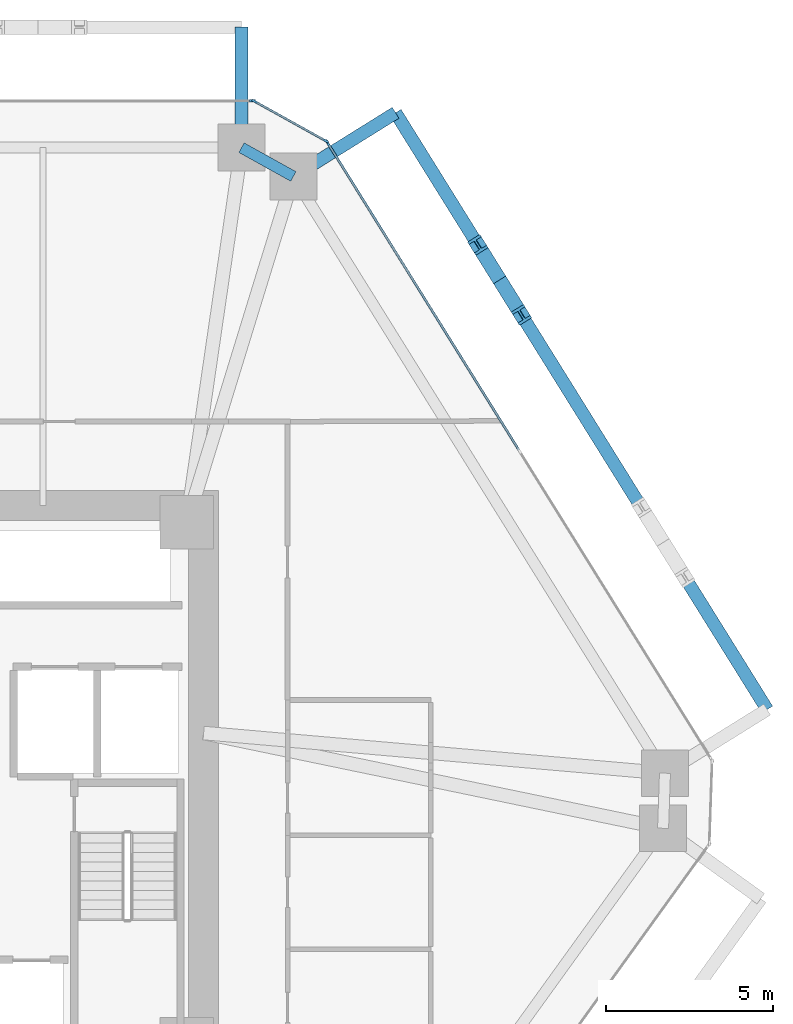
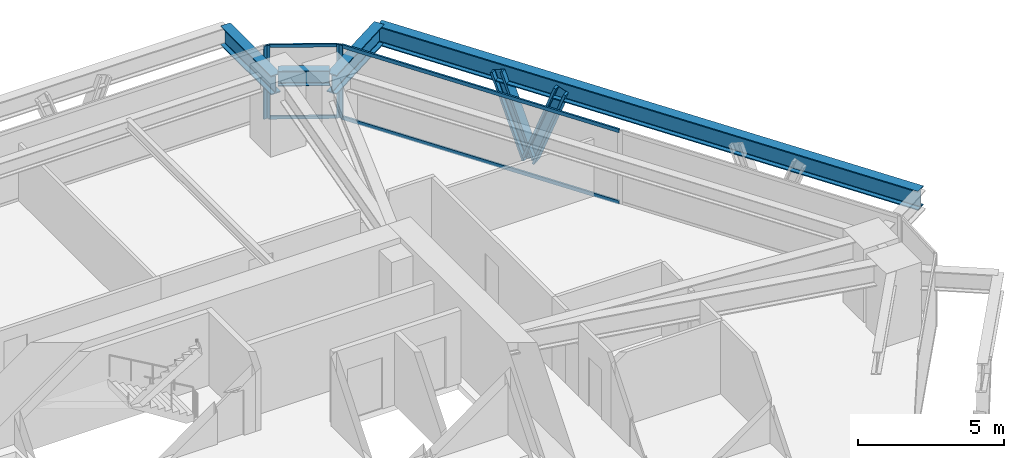
# One storey, part 9 of 14: 10 members, 4 beams, 3 elements without a shape of their own.
"""IFC4 building model written with IfcOpenShell, lengths in metres."""

from ifc_helpers import new_model, si_unit, direction, frame, origin, origin_2d, place, context, subcontext, project, spatial, rectangle, i_section, extrude, source, transform, mapped, material, layer, layer_set, material_profile, profile_set, type_object, type_shapes, element, aggregate, save


model = new_model("IFC4")

# Units and contexts
model_context = context("Model", 3, precision=1e-05, world=origin(), true_north=direction((0.0, 1.0)))
body_context = subcontext(model_context, "Body", "Model", "MODEL_VIEW")
ifc_project = project(units=[si_unit("LENGTHUNIT", "METRE"), si_unit("AREAUNIT", "SQUARE_METRE"), si_unit("VOLUMEUNIT", "CUBIC_METRE"), si_unit("PLANEANGLEUNIT", "RADIAN"), si_unit("MASSUNIT", "GRAM", prefix="KILO")], contexts=[model_context])

# Site, building, storey
site_placement = place(None, origin())
site = spatial("IfcSite", under=ifc_project, at=site_placement, CompositionType="ELEMENT")
building_placement = place(site_placement, origin())
building = spatial("IfcBuilding", under=site, at=building_placement, Name="Durnholm Broadcast Tower", CompositionType="ELEMENT")
storey_placement = place(building_placement, frame((0.0, 0.0, 48.89990234375)))
storey = spatial("IfcBuildingStorey", under=building, at=storey_placement, Name="L11", CompositionType="ELEMENT", Elevation=48.89990234375)

# Beams
ifc_material_1 = material(Name="Steel ASTM A992 Grade 50", Category="steel")
ifc_material_profile_1 = material_profile(ifc_material_1, i_section(OverallWidth=0.3291015625, OverallDepth=0.635009765625, WebThickness=0.017822265625, FlangeThickness=0.031005859375, FilletRadius=0.02783203125, at=origin_2d()), Name="W24X162")
ifc_profile_set_1 = profile_set([ifc_material_profile_1], Name="Steel ASTM A992 Grade 50")
beam_type_1 = type_object("IfcBeamType", Name="STL-SP-W24X162", PredefinedType="SPANDREL", material=ifc_profile_set_1)
shared_shape_1 = source(origin(), body_context, "Body", "SweptSolid", [
    extrude(i_section(OverallWidth=0.3291015625, OverallDepth=0.635009765625, WebThickness=0.017822265625, FlangeThickness=0.031005859375, FilletRadius=0.02783203125, at=origin_2d()), origin(), (0.0, 0.0, 1.0), 1.774658203125),
])
type_shapes(beam_type_1, [shared_shape_1])
beam_1_placement = place(storey_placement, frame((11.43115234375, 19.0, 2.7275390625), z_axis=(0.874248107979, -0.485479397806, 0.0), x_axis=(0.485479397806, 0.874248107979, 0.0)))
element("IfcBeam", 1, at=beam_1_placement, inside=storey, type_object=beam_type_1, Name="L11 perimeter spandrel girder 06", PredefinedType="SPANDREL", context=body_context, shape_type="MappedRepresentation", body=[
    mapped(shared_shape_1, transform((0.0, 0.0, 0.0), x_axis=(1.0, 0.0, 0.0), y_axis=(0.0, 1.0, 0.0), z_axis=(0.0, 0.0, 1.0), scale=1.0)),
])
ifc_material_profile_2 = material_profile(ifc_material_1, i_section(OverallWidth=0.385009765625, OverallDepth=0.802978515625, WebThickness=0.023681640625, FlangeThickness=0.0419921875, FilletRadius=0.032958984375, at=origin_2d()), Name="W30X261")
ifc_profile_set_2 = profile_set([ifc_material_profile_2], Name="Steel ASTM A992 Grade 50")
beam_type_2 = type_object("IfcBeamType", Name="BM-EXO-TIE", PredefinedType="USERDEFINED", material=ifc_profile_set_2)
shared_shape_2 = source(origin(), body_context, "Body", "SweptSolid", [
    extrude(i_section(OverallWidth=0.385009765625, OverallDepth=0.802978515625, WebThickness=0.023681640625, FlangeThickness=0.0419921875, FilletRadius=0.032958984375, at=origin_2d()), origin(), (0.0, 0.0, 1.0), 3.4560546875),
])
for number, where, z_axis, x_axis, name in (
    (2, (13.10498046875, 18.214599609375, 2.30859375), (0.848854443891, 0.528626648105, 0.0), (-0.528626648105, 0.848854443891, 0.0), "L11 exoskeleton stand-off tie bracket F3.2"),
    (3, (11.43115234375, 19.14404296875, 2.30859375), (0.0, 1.0, 0.0), (-1.0, 0.0, 0.0), "L11 exoskeleton stand-off tie bracket F4.1"),
):
    element("IfcBeam", number, at=place(storey_placement, frame(where, z_axis=z_axis, x_axis=x_axis)), inside=storey, type_object=beam_type_2, Name=name, ObjectType="GIRDER", PredefinedType="USERDEFINED", context=body_context, shape_type="MappedRepresentation", body=[
        mapped(shared_shape_2, transform((0.0, 0.0, 0.0), x_axis=(1.0, 0.0, 0.0), y_axis=(0.0, 1.0, 0.0), z_axis=(0.0, 0.0, 1.0), scale=1.0)),
    ])
shared_shape_3 = source(origin(), body_context, "Body", "SweptSolid", [
    extrude(i_section(OverallWidth=0.385009765625, OverallDepth=0.802978515625, WebThickness=0.023681640625, FlangeThickness=0.0419921875, FilletRadius=0.032958984375, at=origin_2d()), origin(), (0.0, 0.0, 1.0), 21.0146484375),
])
type_shapes(beam_type_2, [shared_shape_2, shared_shape_3])
beam_2_placement = place(storey_placement, frame((27.146728515625, 2.20263671875, 2.30859375), z_axis=(-0.528590518575, 0.848876942597, 0.0), x_axis=(-0.848876942597, -0.528590518575, 0.0)))
element("IfcBeam", 4, at=beam_2_placement, inside=storey, type_object=beam_type_2, Name="L11 exoskeleton collector spandrel F3", PredefinedType="SPANDREL", context=body_context, shape_type="MappedRepresentation", body=[
    mapped(shared_shape_3, transform((0.0, 0.0, 0.0), x_axis=(1.0, 0.0, 0.0), y_axis=(0.0, 1.0, 0.0), z_axis=(0.0, 0.0, 1.0), scale=1.0)),
])

# Members
ifc_material_2 = material(Name="Steel ASTM A913 Grade 65", Category="steel")
ifc_material_profile_3 = material_profile(ifc_material_2, i_section(OverallWidth=0.43212890625, OverallDepth=0.497802734375, WebThickness=0.0556640625, FlangeThickness=0.0888671875, FilletRadius=0.030517578125, at=origin_2d()), Name="W14X500")
ifc_profile_set_3 = profile_set([ifc_material_profile_3], Name="Steel ASTM A913 Grade 65")
member_type_1 = type_object("IfcMemberType", Name="STL-DG-W14X500", PredefinedType="BRACE", material=ifc_profile_set_3)
shared_shape_4 = source(origin(), body_context, "Body", "SweptSolid", [
    extrude(i_section(OverallWidth=0.43212890625, OverallDepth=0.497802734375, WebThickness=0.0556640625, FlangeThickness=0.0888671875, FilletRadius=0.030517578125, at=origin_2d()), origin(), (0.0, 0.0, 1.0), 3.523193359375),
])
type_shapes(member_type_1, [shared_shape_4])
for number, where, z_axis, x_axis, name in (
    (5, (19.14892578125, 15.04638671875, -0.991455078125), (0.185090383068, -0.297281072018, 0.936677913861), (0.848908635391, 0.528539618911, 0.0), "L11 stand-off diagrid brace F3.D2.1"),
    (6, (19.14892578125, 15.04638671875, -0.991455078125), (-0.185090383068, 0.297281072018, 0.936677913861), (-0.848908635391, -0.528539618911, 0.0), "L11 stand-off diagrid brace F3.D2.2"),
):
    element("IfcMember", number, at=place(storey_placement, frame(where, z_axis=z_axis, x_axis=x_axis)), inside=storey, type_object=member_type_1, Name=name, PredefinedType="BRACE", context=body_context, shape_type="MappedRepresentation", body=[
        mapped(shared_shape_4, transform((0.0, 0.0, 0.0), x_axis=(1.0, 0.0, 0.0), y_axis=(0.0, 1.0, 0.0), z_axis=(0.0, 0.0, 1.0), scale=1.0)),
    ])

# Curtain wall, members
ifc_material_3 = material(Name="Aluminium and Solar Control IGU", Category="aluminium")
ifc_layer_1 = layer(ifc_material_3, 0.1650390625)
ifc_layer_set_1 = layer_set([ifc_layer_1], Name="Aluminium and Solar Control IGU")
curtain_wall_type_1 = type_object("IfcCurtainWallType", Name="CW-SYS-5", PredefinedType="NOTDEFINED", material=ifc_layer_set_1)
curtain_wall_1_placement = place(storey_placement, origin())
curtain_wall_1 = element("IfcCurtainWall", 7, at=curtain_wall_1_placement, inside=storey, type_object=curtain_wall_type_1, Name="L11 curtain wall CW-CORNER CW-L11-CRN-05", PredefinedType="NOTDEFINED")
ifc_material_4 = material(Name="Aluminium 6063-T6", Category="aluminium")
ifc_material_profile_4 = material_profile(ifc_material_4, rectangle(XDim=0.06494140625, YDim=0.1650390625, at=origin_2d()), Name="CWM65X165")
ifc_profile_set_4 = profile_set([ifc_material_profile_4], Name="Aluminium 6063-T6")
member_type_2 = type_object("IfcMemberType", Name="CW-SYS-5-MUL", PredefinedType="MULLION", material=ifc_profile_set_4)
shared_shape_5 = source(origin(), body_context, "Body", "SweptSolid", [
    extrude(rectangle(XDim=0.06494140625, YDim=0.1650390625, at=origin_2d()), origin(), (0.0, 0.0, 1.0), 3.06005859375),
])
type_shapes(member_type_2, [shared_shape_5])
member_1_placement = place(storey_placement, frame((11.822265625, 20.38427734375, 0.0), z_axis=(0.0, 0.0, 1.0), x_axis=(0.485483299359, 0.874245941394, 0.0)))
member_1 = element("IfcMember", 8, at=member_1_placement, type_object=member_type_2, Name="CW-CORNER mullion 1", PredefinedType="MULLION", context=body_context, shape_type="MappedRepresentation", body=[
    mapped(shared_shape_5, transform((0.0, 0.0, 0.0), x_axis=(1.0, 0.0, 0.0), y_axis=(0.0, 1.0, 0.0), z_axis=(0.0, 0.0, 1.0), scale=1.0)),
])
member_2_placement = place(storey_placement, frame((13.950927734375, 19.2021484375, 0.0), z_axis=(0.0, 0.0, 1.0), x_axis=(0.485483299359, 0.874245941394, 0.0)))
member_2 = element("IfcMember", 9, at=member_2_placement, type_object=member_type_2, Name="CW-CORNER mullion 2", PredefinedType="MULLION", context=body_context, shape_type="MappedRepresentation", body=[
    mapped(shared_shape_5, transform((0.0, 0.0, 0.0), x_axis=(1.0, 0.0, 0.0), y_axis=(0.0, 1.0, 0.0), z_axis=(0.0, 0.0, 1.0), scale=1.0)),
])
ifc_material_profile_5 = material_profile(ifc_material_4, rectangle(XDim=0.06494140625, YDim=0.1298828125, at=origin_2d()), Name="CWT65X130")
ifc_profile_set_5 = profile_set([ifc_material_profile_5], Name="Aluminium 6063-T6")
member_type_3 = type_object("IfcMemberType", Name="CW-SYS-5-TRN", PredefinedType="USERDEFINED", material=ifc_profile_set_5)
shared_shape_6 = source(origin(), body_context, "Body", "SweptSolid", [
    extrude(rectangle(XDim=0.06494140625, YDim=0.1298828125, at=origin_2d()), origin(), (0.0, 0.0, 1.0), 2.3701171875),
])
type_shapes(member_type_3, [shared_shape_6])
member_3_placement = place(storey_placement, frame((11.8505859375, 20.368408203125, 0.03271484375), z_axis=(0.874244723151, -0.485485493132, 0.0), x_axis=(0.485485493132, 0.874244723151, 0.0)))
member_3 = element("IfcMember", 10, at=member_3_placement, type_object=member_type_3, Name="CW-CORNER transom 1.1", ObjectType="TRANSOM", PredefinedType="USERDEFINED", context=body_context, shape_type="MappedRepresentation", body=[
    mapped(shared_shape_6, transform((0.0, 0.0, 0.0), x_axis=(1.0, 0.0, 0.0), y_axis=(0.0, 1.0, 0.0), z_axis=(0.0, 0.0, 1.0), scale=1.0)),
])
member_4_placement = place(storey_placement, frame((11.8505859375, 20.368408203125, 3.027587890625), z_axis=(0.874244723151, -0.485485493132, 0.0), x_axis=(0.485485493132, 0.874244723151, 0.0)))
member_4 = element("IfcMember", 11, at=member_4_placement, type_object=member_type_3, Name="CW-CORNER transom 1.2", ObjectType="TRANSOM", PredefinedType="USERDEFINED", context=body_context, shape_type="MappedRepresentation", body=[
    mapped(shared_shape_6, transform((0.0, 0.0, 0.0), x_axis=(1.0, 0.0, 0.0), y_axis=(0.0, 1.0, 0.0), z_axis=(0.0, 0.0, 1.0), scale=1.0)),
])
aggregate(curtain_wall_1, [member_1, member_2, member_3, member_4])

# Curtain wall, member
ifc_layer_2 = layer(ifc_material_3, 0.18994140625)
ifc_layer_set_2 = layer_set([ifc_layer_2], Name="Aluminium and Solar Control IGU")
curtain_wall_type_2 = type_object("IfcCurtainWallType", Name="CW-SYS-3", PredefinedType="NOTDEFINED", material=ifc_layer_set_2)
curtain_wall_2_placement = place(storey_placement, origin())
curtain_wall_2 = element("IfcCurtainWall", 12, at=curtain_wall_2_placement, inside=storey, type_object=curtain_wall_type_2, Name="L11 curtain wall CW-Z12-VIS CW-L11-F04", PredefinedType="NOTDEFINED")
ifc_material_profile_6 = material_profile(ifc_material_4, rectangle(XDim=0.070068359375, YDim=0.18994140625, at=origin_2d()), Name="CWM70X190")
ifc_profile_set_6 = profile_set([ifc_material_profile_6], Name="Aluminium 6063-T6")
member_type_4 = type_object("IfcMemberType", Name="CW-SYS-3-MUL", PredefinedType="MULLION", material=ifc_profile_set_6)
shared_shape_7 = source(origin(), body_context, "Body", "SweptSolid", [
    extrude(rectangle(XDim=0.070068359375, YDim=0.18994140625, at=origin_2d()), origin(), (0.0, 0.0, 1.0), 3.06005859375),
])
type_shapes(member_type_4, [shared_shape_7])
member_5_placement = place(storey_placement, frame((11.7587890625, 20.39990234375, 0.0), z_axis=(0.0, 0.0, 1.0), x_axis=(0.0, 1.0, 0.0)))
member_5 = element("IfcMember", 13, at=member_5_placement, type_object=member_type_4, Name="CW-Z12-VIS mullion 3", PredefinedType="MULLION", context=body_context, shape_type="MappedRepresentation", body=[
    mapped(shared_shape_7, transform((0.0, 0.0, 0.0), x_axis=(1.0, 0.0, 0.0), y_axis=(0.0, 1.0, 0.0), z_axis=(0.0, 0.0, 1.0), scale=1.0)),
])
aggregate(curtain_wall_2, [member_5])

# Curtain wall, members
curtain_wall_3_placement = place(storey_placement, origin())
curtain_wall_3 = element("IfcCurtainWall", 14, at=curtain_wall_3_placement, inside=storey, type_object=curtain_wall_type_2, Name="L11 curtain wall CW-Z12-VIS CW-L11-F06", PredefinedType="NOTDEFINED")
member_6_placement = place(storey_placement, frame((13.997802734375, 19.156494140625, 0.0), z_axis=(0.0, 0.0, 1.0), x_axis=(0.848875785503, 0.528592376777, 0.0)))
member_6 = element("IfcMember", 15, at=member_6_placement, type_object=member_type_4, Name="CW-Z12-VIS mullion 1", PredefinedType="MULLION", context=body_context, shape_type="MappedRepresentation", body=[
    mapped(shared_shape_7, transform((0.0, 0.0, 0.0), x_axis=(1.0, 0.0, 0.0), y_axis=(0.0, 1.0, 0.0), z_axis=(0.0, 0.0, 1.0), scale=1.0)),
])
ifc_material_profile_7 = material_profile(ifc_material_4, rectangle(XDim=0.070068359375, YDim=0.14990234375, at=origin_2d()), Name="CWT70X150")
ifc_profile_set_7 = profile_set([ifc_material_profile_7], Name="Aluminium 6063-T6")
member_type_5 = type_object("IfcMemberType", Name="CW-SYS-3-TRN", PredefinedType="USERDEFINED", material=ifc_profile_set_7)
shared_shape_8 = source(origin(), body_context, "Body", "SweptSolid", [
    extrude(rectangle(XDim=0.070068359375, YDim=0.14990234375, at=origin_2d()), origin(), (0.0, 0.0, 1.0), 10.796630859375),
])
type_shapes(member_type_5, [shared_shape_8])
member_7_placement = place(storey_placement, frame((14.016357421875, 19.126953125, 0.03515625), z_axis=(0.528591657678, -0.848876233283, 0.0), x_axis=(0.848876233283, 0.528591657678, 0.0)))
member_7 = element("IfcMember", 16, at=member_7_placement, type_object=member_type_5, Name="CW-Z12-VIS transom 1.1", ObjectType="TRANSOM", PredefinedType="USERDEFINED", context=body_context, shape_type="MappedRepresentation", body=[
    mapped(shared_shape_8, transform((0.0, 0.0, 0.0), x_axis=(1.0, 0.0, 0.0), y_axis=(0.0, 1.0, 0.0), z_axis=(0.0, 0.0, 1.0), scale=1.0)),
])
member_8_placement = place(storey_placement, frame((14.016357421875, 19.126953125, 3.025146484375), z_axis=(0.528591657678, -0.848876233283, 0.0), x_axis=(0.848876233283, 0.528591657678, 0.0)))
member_8 = element("IfcMember", 17, at=member_8_placement, type_object=member_type_5, Name="CW-Z12-VIS transom 1.2", ObjectType="TRANSOM", PredefinedType="USERDEFINED", context=body_context, shape_type="MappedRepresentation", body=[
    mapped(shared_shape_8, transform((0.0, 0.0, 0.0), x_axis=(1.0, 0.0, 0.0), y_axis=(0.0, 1.0, 0.0), z_axis=(0.0, 0.0, 1.0), scale=1.0)),
])
aggregate(curtain_wall_3, [member_6, member_7, member_8])

save(model, "model.ifc")
